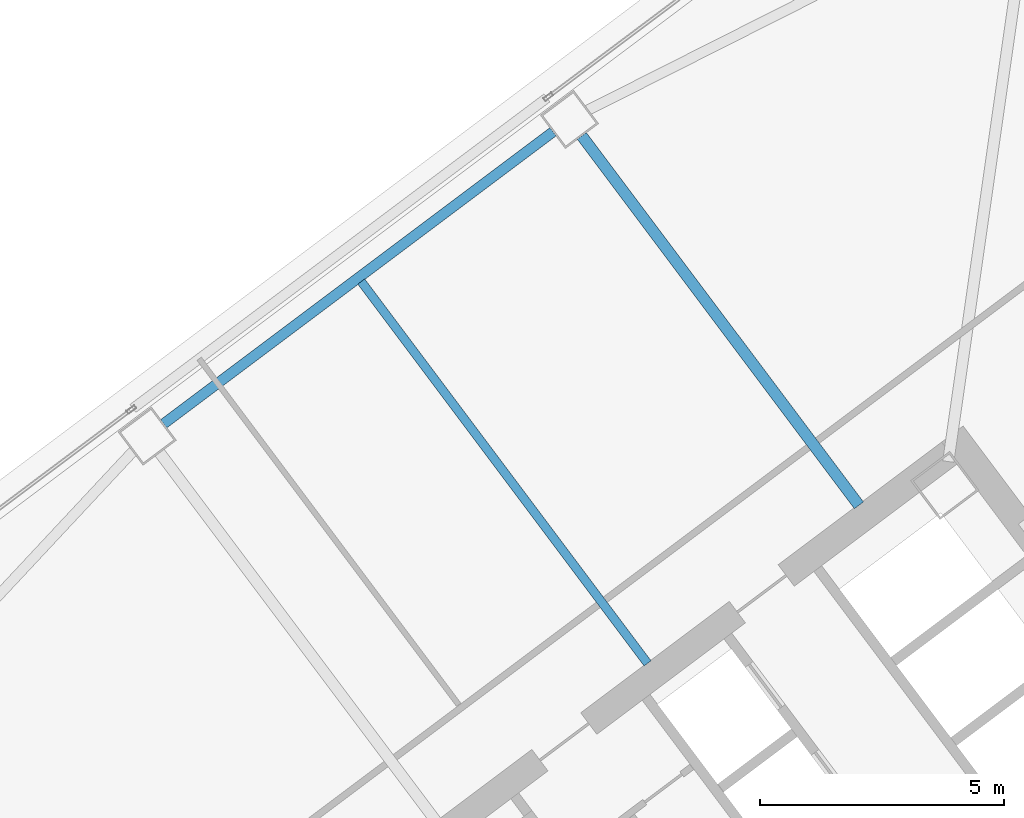
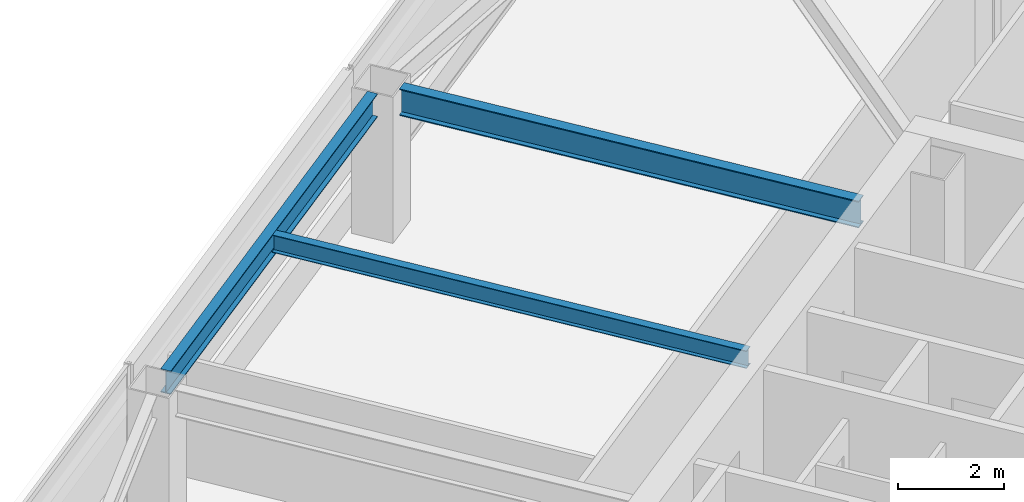
# One storey, part 26 of 41: 3 beams.
"""IFC4 building model written with IfcOpenShell, lengths in metres."""

from ifc_helpers import new_model, si_unit, direction, frame, origin, origin_2d, place, context, subcontext, project, spatial, i_section, extrude, material, material_profile, profile_set, type_object, element, save


model = new_model("IFC4")

# Units and contexts
model_context = context("Model", 3, precision=1e-05, world=origin(), true_north=direction((0.0, 1.0)))
body_context = subcontext(model_context, "Body", "Model", "MODEL_VIEW")
ifc_project = project(units=[si_unit("LENGTHUNIT", "METRE"), si_unit("AREAUNIT", "SQUARE_METRE"), si_unit("VOLUMEUNIT", "CUBIC_METRE"), si_unit("PLANEANGLEUNIT", "RADIAN"), si_unit("MASSUNIT", "GRAM", prefix="KILO")], contexts=[model_context])

# Site, building, storey
site_placement = place(None, origin())
site = spatial("IfcSite", under=ifc_project, at=site_placement, CompositionType="ELEMENT")
building_placement = place(site_placement, origin())
building = spatial("IfcBuilding", under=site, at=building_placement, Name="Tashvorn Skyway Center", CompositionType="ELEMENT")
storey_placement = place(building_placement, frame((0.0, 0.0, 117.949951171875)))
storey = spatial("IfcBuildingStorey", under=building, at=storey_placement, Name="L31", CompositionType="ELEMENT", Elevation=117.949951171875)

# Beams
ifc_material = material(Name="Steel ASTM A992 Grade 50", Category="steel")
ifc_material_profile_1 = material_profile(ifc_material, i_section(OverallWidth=0.22998046875, OverallDepth=0.616943359375, WebThickness=0.01318359375, FlangeThickness=0.022216796875, at=origin_2d()), Name="W24X94")
ifc_profile_set_1 = profile_set([ifc_material_profile_1], Name="Steel ASTM A992 Grade 50")
beam_type_1 = type_object("IfcBeamType", Name="BM-BEAM-W24X94", PredefinedType="BEAM", material=ifc_profile_set_1)
beam_1_placement = place(storey_placement, frame((107.98193359375, 49.02392578125, 3.0615234375), z_axis=(0.600020667896, -0.799984498661, 0.0), x_axis=(0.799984498661, 0.600020667896, 0.0)))
element("IfcBeam", 1, at=beam_1_placement, inside=storey, type_object=beam_type_1, Name="Tower 2 L31 Primary Floor Girder FC-N1", PredefinedType="BEAM", context=body_context, shape_type="SweptSolid", body=[
    extrude(i_section(OverallWidth=0.22998046875, OverallDepth=0.616943359375, WebThickness=0.01318359375, FlangeThickness=0.022216796875, at=origin_2d()), origin(), (0.0, 0.0, 1.0), 9.449951171875),
])
ifc_material_profile_2 = material_profile(ifc_material, i_section(OverallWidth=0.177978515625, OverallDepth=0.406005859375, WebThickness=0.0078125, FlangeThickness=0.0126953125, at=origin_2d()), Name="W16X40")
ifc_profile_set_2 = profile_set([ifc_material_profile_2], Name="Steel ASTM A992 Grade 50")
beam_type_2 = type_object("IfcBeamType", Name="BM-JOIST-W16X40", PredefinedType="JOIST", material=ifc_profile_set_2)
beam_2_placement = place(storey_placement, frame((109.325927734375, 38.23193359375, 3.1669921875), z_axis=(-0.599991997409, 0.800006001881, 0.0), x_axis=(-0.800006001881, -0.599991997409, 0.0)))
element("IfcBeam", 2, at=beam_2_placement, inside=storey, type_object=beam_type_2, Name="Tower 2 L31 Secondary Composite Joist JN", PredefinedType="JOIST", context=body_context, shape_type="SweptSolid", body=[
    extrude(i_section(OverallWidth=0.177978515625, OverallDepth=0.406005859375, WebThickness=0.0078125, FlangeThickness=0.0126953125, at=origin_2d()), origin(), (0.0, 0.0, 1.0), 9.762451171875),
])
ifc_material_profile_3 = material_profile(ifc_material, i_section(OverallWidth=0.2109375, OverallDepth=0.5390625, WebThickness=0.01171875, FlangeThickness=0.018798828125, at=origin_2d()), Name="W21X73")
ifc_profile_set_3 = profile_set([ifc_material_profile_3], Name="Steel ASTM A992 Grade 50")
beam_type_3 = type_object("IfcBeamType", Name="BM-SPANDREL-W21X73", PredefinedType="SPANDREL", material=ifc_profile_set_3)
beam_3_placement = place(storey_placement, frame((107.39404296875, 49.10791015625, 3.1005859375), z_axis=(-0.800008824351, -0.599988234018, 0.0), x_axis=(0.599988234018, -0.800008824351, 0.0)))
element("IfcBeam", 3, at=beam_3_placement, inside=storey, type_object=beam_type_3, Name="Tower 2 L31 Spandrel Beam 08", PredefinedType="SPANDREL", context=body_context, shape_type="SweptSolid", body=[
    extrude(i_section(OverallWidth=0.2109375, OverallDepth=0.5390625, WebThickness=0.01171875, FlangeThickness=0.018798828125, at=origin_2d()), origin(), (0.0, 0.0, 1.0), 9.9599609375),
])

save(model, "model.ifc")
